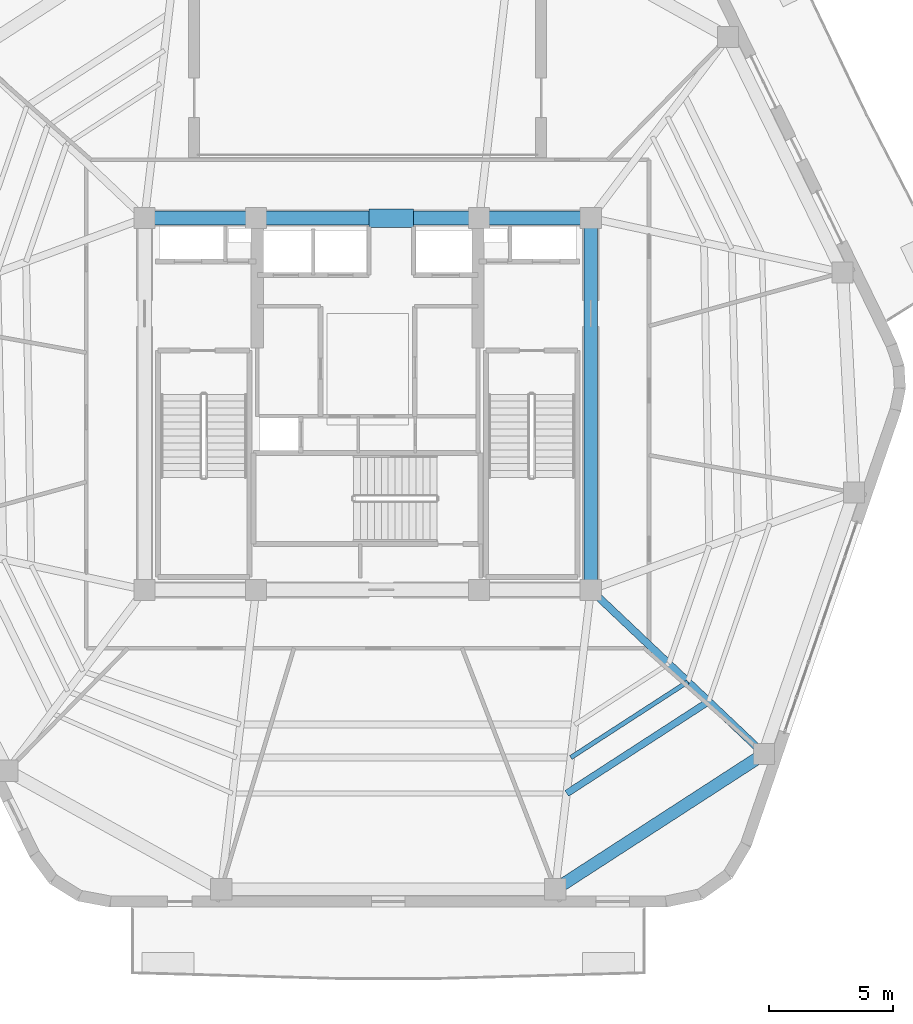
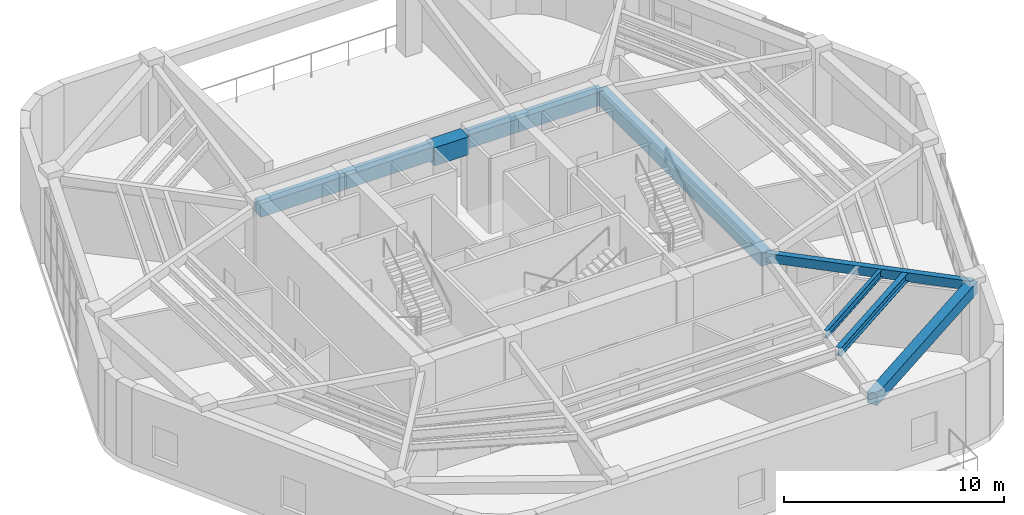
# One storey, part 3 of 15: 9 beams.
"""IFC4 building model written with IfcOpenShell, lengths in metres."""

import ifcopenshell
import ifcopenshell.guid

model = None  # the IFC model being written
_history = None  # IfcOwnerHistory: only IFC2X3 demands one
_inside = {}  # id of a spatial element -> (the spatial element, [elements in it])
_under = {}  # id of a project, library or spatial element -> (it, [spatial elements below it])
_declared = {}  # id of a project -> (the project, [libraries it declares])
_typed = {}  # id of a type object -> (the type object, [elements of that type])
_made_of = {}  # id of a material, layer set ... -> (it, [elements and type objects made of it])


def new_model(schema):
    """Start an empty IFC model of exactly this schema.

    Asked for "IFC4X3", IfcOpenShell would pick the latest addendum, in which some entities
    have other attributes; the version numbers below select the first issue.
    IFC2X3 requires an IfcOwnerHistory on every rooted entity: one is made here for all.
    """
    global model, _history
    if schema == "IFC4X3":
        model = ifcopenshell.file(schema_version=(4, 3, 0, 0))
    else:
        model = ifcopenshell.file(schema=schema)
    _inside.clear()
    _under.clear()
    _declared.clear()
    _typed.clear()
    _made_of.clear()
    _history = None
    if model.schema == "IFC2X3":
        org = make("IfcOrganization", Name="unknown")
        user = make(
            "IfcPersonAndOrganization",
            ThePerson=make("IfcPerson", FamilyName="unknown"),
            TheOrganization=org,
        )
        app = make(
            "IfcApplication",
            ApplicationDeveloper=org,
            Version="unknown",
            ApplicationFullName="unknown",
            ApplicationIdentifier="unknown",
        )
        _history = make(
            "IfcOwnerHistory",
            OwningUser=user,
            OwningApplication=app,
            ChangeAction="ADDED",
            CreationDate=0,
        )
    return model


def make(cls, **values):
    """One entity of the class cls with the attributes given. An attribute that is None is left unset."""
    return model.create_entity(
        cls, **{name: value for name, value in values.items() if value is not None}
    )


def rooted(cls, **values):
    """An entity with a GlobalId (a new one), such as an element, a storey or a relation."""
    return make(cls, GlobalId=ifcopenshell.guid.new(), OwnerHistory=_history, **values)


def si_unit(unit_type, name, prefix=None):
    """IfcSIUnit, for example si_unit("LENGTHUNIT", "METRE", prefix="MILLI")."""
    return make("IfcSIUnit", UnitType=unit_type, Prefix=prefix, Name=name)


def assignment(units):
    """IfcUnitAssignment: the units of a project."""
    return None if units is None else make("IfcUnitAssignment", Units=units)


def point(xyz):
    """IfcCartesianPoint."""
    return None if xyz is None else make("IfcCartesianPoint", Coordinates=xyz)


def direction(xyz):
    """IfcDirection."""
    return None if xyz is None else make("IfcDirection", DirectionRatios=xyz)


def frame(location, z_axis=None, x_axis=None):
    """IfcAxis2Placement3D, a coordinate frame: its origin and axes. An axis left out is left unset."""
    return make(
        "IfcAxis2Placement3D",
        Location=point(location),
        Axis=direction(z_axis),
        RefDirection=direction(x_axis),
    )


def frame_2d(location, x_axis=None):
    """IfcAxis2Placement2D, a coordinate frame in the plane: its origin and x axis."""
    return make(
        "IfcAxis2Placement2D", Location=point(location), RefDirection=direction(x_axis)
    )


def origin():
    """The frame at (0, 0, 0) with its axes left unset."""
    return frame((0.0, 0.0, 0.0))


def origin_2d():
    """The frame at (0, 0) in the plane with its x axis left unset."""
    return frame_2d((0.0, 0.0))


def place(relative_to, where):
    """IfcLocalPlacement: puts the frame where relative to a parent placement (None: the world)."""
    return make(
        "IfcLocalPlacement", PlacementRelTo=relative_to, RelativePlacement=where
    )


def context(
    kind, dimensions, precision=None, world=None, true_north=None, identifier=None
):
    """IfcGeometricRepresentationContext, for example the 3D "Model" context."""
    return make(
        "IfcGeometricRepresentationContext",
        ContextIdentifier=identifier,
        ContextType=kind,
        CoordinateSpaceDimension=dimensions,
        Precision=precision,
        WorldCoordinateSystem=world,
        TrueNorth=true_north,
    )


def subcontext(parent, identifier, kind, view, scale=None):
    """IfcGeometricRepresentationSubContext, for example "Body" below "Model"."""
    return make(
        "IfcGeometricRepresentationSubContext",
        ContextIdentifier=identifier,
        ContextType=kind,
        ParentContext=parent,
        TargetScale=scale,
        TargetView=view,
    )


def project(units=None, contexts=None):
    """IfcProject with its units and contexts."""
    return rooted(
        "IfcProject",
        Name="project",
        RepresentationContexts=contexts,
        UnitsInContext=assignment(units),
    )


def spatial(cls, under=None, at=None, **own):
    """A site, building, storey or space (cls), placed at a placement, below another one or the project."""
    s = rooted(cls, ObjectPlacement=at, **own)
    if under is not None:
        _under.setdefault(under.id(), (under, []))[1].append(s)
    return s


def profile(cls, at=None, kind="AREA", **sizes):
    """A parametric profile (cls). Its sizes go by their IFC names, for example OverallWidth=200.0."""
    return make(cls, ProfileType=kind, Position=at, **sizes)


def rectangle(**sizes):
    """IfcRectangleProfileDef."""
    return profile("IfcRectangleProfileDef", **sizes)


def i_section(**sizes):
    """IfcIShapeProfileDef."""
    return profile("IfcIShapeProfileDef", **sizes)


def extrude(swept, where, along, depth):
    """IfcExtrudedAreaSolid: the profile swept, set in the frame where, extruded along a direction by depth."""
    return make(
        "IfcExtrudedAreaSolid",
        SweptArea=swept,
        Position=where,
        ExtrudedDirection=direction(along),
        Depth=depth,
    )


def shape(context_of_items, identifier, shape_type, items):
    """IfcShapeRepresentation: the items that make up one representation, for example the "Body"."""
    return make(
        "IfcShapeRepresentation",
        ContextOfItems=context_of_items,
        RepresentationIdentifier=identifier,
        RepresentationType=shape_type,
        Items=items,
    )


def material(Name=None, Category=None):
    """IfcMaterial."""
    return make("IfcMaterial", Name=Name, Category=Category)


def material_profile(
    of_material, cross_section, Name=None, Category=None, Priority=None
):
    """IfcMaterialProfile: a cross section and its material."""
    return make(
        "IfcMaterialProfile",
        Name=Name,
        Material=of_material,
        Profile=cross_section,
        Priority=Priority,
        Category=Category,
    )


def profile_set(profiles, Name=None, composite=None):
    """IfcMaterialProfileSet."""
    return make(
        "IfcMaterialProfileSet",
        Name=Name,
        MaterialProfiles=profiles,
        CompositeProfile=composite,
    )


def made_of(thing, what):
    """Note that an element or type object is made of a material, layer set ...; save() writes the relation."""
    if what is not None:
        _made_of.setdefault(what.id(), (what, []))[1].append(thing)
    return thing


def type_object(cls, material=None, **own):
    """A type object (cls), such as IfcWallType, which elements share."""
    return made_of(rooted(cls, **own), material)


def element(
    cls,
    number,
    at=None,
    inside=None,
    cuts=None,
    type_object=None,
    material=None,
    context=None,
    identifier="Body",
    shape_type=None,
    held_by="IfcProductDefinitionShape",
    body=None,
    shapes=None,
    **own,
):
    """One element of the class cls, such as IfcWall. Its Tag is "e" and its number.

    at: its placement. inside: the storey or other place that contains it. cuts: it is an
    opening in that element (IfcRelVoidsElement). A single representation is given by context,
    identifier, shape_type and body (its items); several are given by shapes. held_by: the class
    of the entity that holds the representations. save() writes the other relations.
    """
    e = rooted(cls, Tag="e%d" % number, ObjectPlacement=at, **own)
    if body is not None:
        shapes = [shape(context, identifier, shape_type, body)]
    if shapes is not None:
        e.Representation = make(held_by, Representations=shapes)
    if inside is not None:
        _inside.setdefault(inside.id(), (inside, []))[1].append(e)
    if cuts is not None:
        rooted(
            "IfcRelVoidsElement", RelatingBuildingElement=cuts, RelatedOpeningElement=e
        )
    if type_object is not None:
        _typed.setdefault(type_object.id(), (type_object, []))[1].append(e)
    return made_of(e, material)


def aggregate(whole, parts):
    """IfcRelAggregates: a whole, such as a stair, and the parts it consists of."""
    return rooted("IfcRelAggregates", RelatingObject=whole, RelatedObjects=parts)


def save(model, path):
    """Write the relations noted so far, then the file.

    IfcRelAggregates (storeys below a building ...), IfcRelContainedInSpatialStructure (elements
    in a storey), IfcRelDefinesByType, IfcRelAssociatesMaterial and IfcRelDeclares: one each for
    every whole, place, type object, material and project.
    """
    for whole, parts in _under.values():
        aggregate(whole, parts)
    for where, things in _inside.values():
        rooted(
            "IfcRelContainedInSpatialStructure",
            RelatedElements=things,
            RelatingStructure=where,
        )
    for kind, things in _typed.values():
        rooted("IfcRelDefinesByType", RelatedObjects=things, RelatingType=kind)
    for what, things in _made_of.values():
        rooted("IfcRelAssociatesMaterial", RelatedObjects=things, RelatingMaterial=what)
    for by, libraries in _declared.values():
        rooted("IfcRelDeclares", RelatingContext=by, RelatedDefinitions=libraries)
    model.write(path)


model = new_model("IFC4")

# Units and contexts
model_context = context("Model", 3, precision=1e-05, world=origin(), true_north=direction((0.0, 1.0)))
body_context = subcontext(model_context, "Body", "Model", "MODEL_VIEW")
ifc_project = project(units=[si_unit("LENGTHUNIT", "METRE"), si_unit("AREAUNIT", "SQUARE_METRE"), si_unit("VOLUMEUNIT", "CUBIC_METRE"), si_unit("PLANEANGLEUNIT", "RADIAN"), si_unit("MASSUNIT", "GRAM", prefix="KILO")], contexts=[model_context])

# Site, building, storey
site_placement = place(None, origin())
site = spatial("IfcSite", under=ifc_project, at=site_placement, CompositionType="ELEMENT")
building_placement = place(site_placement, origin())
building = spatial("IfcBuilding", under=site, at=building_placement, Name="Kilnhurst Terrace Hotel", CompositionType="ELEMENT")
storey_placement = place(building_placement, frame((0.0, 0.0, 288.60009765625)))
storey = spatial("IfcBuildingStorey", under=building, at=storey_placement, Name="L72", CompositionType="ELEMENT", Elevation=288.60009765625)

# Beams
ifc_material_1 = material(Name="Concrete C50/60", Category="concrete")
ifc_material_profile_1 = material_profile(ifc_material_1, rectangle(XDim=0.300048828125, YDim=0.5, at=origin_2d()), Name="RC300X500")
ifc_profile_set_1 = profile_set([ifc_material_profile_1], Name="Concrete C50/60")
beam_type_1 = type_object("IfcBeamType", Name="BM-RAD-300X500", PredefinedType="BEAM", material=ifc_profile_set_1)
beam_1_placement = place(storey_placement, frame((9.0, -7.5, 3.929931640625), z_axis=(0.726256338973, -0.687423981326, 0.0), x_axis=(0.687423981326, 0.726256338973, 0.0)))
element("IfcBeam", 1, at=beam_1_placement, inside=storey, type_object=beam_type_1, Name="L72 Radial Floor Beam 3", PredefinedType="BEAM", context=body_context, shape_type="SweptSolid", body=[
    extrude(rectangle(XDim=0.300048828125, YDim=0.5, at=origin_2d()), origin(), (0.0, 0.0, 1.0), 9.6318359375),
])
ifc_material_profile_2 = material_profile(ifc_material_1, rectangle(XDim=0.5, YDim=0.64990234375, at=origin_2d()), Name="RC500X650")
ifc_profile_set_2 = profile_set([ifc_material_profile_2], Name="Concrete C50/60")
beam_type_2 = type_object("IfcBeamType", Name="BM-SPN-500X650", PredefinedType="SPANDREL", material=ifc_profile_set_2)
beam_2_placement = place(storey_placement, frame((7.569091796875, -19.580078125, 3.85498046875), z_axis=(0.839258818809, 0.543732135386, 0.0), x_axis=(-0.543732135386, 0.839258818809, 0.0)))
element("IfcBeam", 2, at=beam_2_placement, inside=storey, type_object=beam_type_2, Name="L72 Perimeter Spandrel Beam 2", PredefinedType="SPANDREL", context=body_context, shape_type="SweptSolid", body=[
    extrude(rectangle(XDim=0.5, YDim=0.64990234375, at=origin_2d()), origin(), (0.0, 0.0, 1.0), 10.039794921875),
])
ifc_material_profile_3 = material_profile(ifc_material_1, rectangle(XDim=0.550048828125, YDim=0.75, at=origin_2d()), Name="RC550X750")
ifc_profile_set_3 = profile_set([ifc_material_profile_3], Name="Concrete C50/60")
beam_type_3 = type_object("IfcBeamType", Name="BM-SPN-550X750", PredefinedType="SPANDREL", material=ifc_profile_set_3)
beam_3_placement = place(storey_placement, frame((-9.0, 7.5, 3.804931640625), z_axis=(1.0, 0.0, 0.0), x_axis=(0.0, 1.0, 0.0)))
element("IfcBeam", 3, at=beam_3_placement, inside=storey, type_object=beam_type_3, Name="L72 Core Tie Beam CC-NW to CC-NC1", PredefinedType="SPANDREL", context=body_context, shape_type="SweptSolid", body=[
    extrude(rectangle(XDim=0.550048828125, YDim=0.75, at=origin_2d()), origin(), (0.0, 0.0, 1.0), 4.5),
])
beam_4_placement = place(storey_placement, frame((-4.5, 7.5, 3.804931640625), z_axis=(1.0, 0.0, 0.0), x_axis=(0.0, 1.0, 0.0)))
element("IfcBeam", 4, at=beam_4_placement, inside=storey, type_object=beam_type_3, Name="L72 Core Tie Beam CC-NC1 to CC-NC2", PredefinedType="SPANDREL", context=body_context, shape_type="SweptSolid", body=[
    extrude(rectangle(XDim=0.550048828125, YDim=0.75, at=origin_2d()), origin(), (0.0, 0.0, 1.0), 9.0),
])
beam_5_placement = place(storey_placement, frame((4.5, 7.5, 3.804931640625), z_axis=(1.0, 0.0, 0.0), x_axis=(0.0, 1.0, 0.0)))
element("IfcBeam", 5, at=beam_5_placement, inside=storey, type_object=beam_type_3, Name="L72 Core Tie Beam CC-NC2 to CC-NE", PredefinedType="SPANDREL", context=body_context, shape_type="SweptSolid", body=[
    extrude(rectangle(XDim=0.550048828125, YDim=0.75, at=origin_2d()), origin(), (0.0, 0.0, 1.0), 4.5),
])
beam_6_placement = place(storey_placement, frame((9.0, -7.5, 3.804931640625), z_axis=(0.0, 1.0, 0.0), x_axis=(-1.0, 0.0, 0.0)))
element("IfcBeam", 6, at=beam_6_placement, inside=storey, type_object=beam_type_3, Name="L72 Core Tie Beam CC-SE to CC-NE", PredefinedType="SPANDREL", context=body_context, shape_type="SweptSolid", body=[
    extrude(rectangle(XDim=0.550048828125, YDim=0.75, at=origin_2d()), origin(), (0.0, 0.0, 1.0), 15.0),
])
ifc_material_2 = material(Name="Steel ASTM A992 Grade 50", Category="steel")
ifc_material_profile_4 = material_profile(ifc_material_2, i_section(OverallWidth=0.180908203125, OverallDepth=0.417236328125, WebThickness=0.010986328125, FlangeThickness=0.018310546875, at=origin_2d()), Name="W16X57")
ifc_profile_set_4 = profile_set([ifc_material_profile_4], Name="Steel ASTM A992 Grade 50")
beam_type_4 = type_object("IfcBeamType", Name="JST-STL-W16X57", PredefinedType="JOIST", material=ifc_profile_set_4)
beam_7_placement = place(storey_placement, frame((8.198486328125, -14.264892578125, 3.970947265625), z_axis=(0.839260135854, 0.543730102502, 0.0), x_axis=(-0.543730102502, 0.839260135854, 0.0)))
element("IfcBeam", 7, at=beam_7_placement, inside=storey, type_object=beam_type_4, Name="L72 Secondary Floor Steel Joist MID.2", PredefinedType="JOIST", context=body_context, shape_type="SweptSolid", body=[
    extrude(i_section(OverallWidth=0.180908203125, OverallDepth=0.417236328125, WebThickness=0.010986328125, FlangeThickness=0.018310546875, at=origin_2d()), origin(), (0.0, 0.0, 1.0), 5.62255859375),
])
ifc_material_profile_5 = material_profile(ifc_material_2, i_section(OverallWidth=0.279296875, OverallDepth=0.462890625, WebThickness=0.0107421875, FlangeThickness=0.017333984375, at=origin_2d()), Name="W18X76")
ifc_profile_set_5 = profile_set([ifc_material_profile_5], Name="Steel ASTM A992 Grade 50")
beam_type_5 = type_object("IfcBeamType", Name="JST-STL-W18X76", PredefinedType="JOIST", material=ifc_profile_set_5)
beam_8_placement = place(storey_placement, frame((8.02685546875, -15.71435546875, 3.947998046875), z_axis=(0.839257246669, 0.543734562001, 0.0), x_axis=(-0.543734562001, 0.839257246669, 0.0)))
element("IfcBeam", 8, at=beam_8_placement, inside=storey, type_object=beam_type_5, Name="L72 Secondary Floor Steel Joist OUT.2", PredefinedType="JOIST", context=body_context, shape_type="SweptSolid", body=[
    extrude(i_section(OverallWidth=0.279296875, OverallDepth=0.462890625, WebThickness=0.0107421875, FlangeThickness=0.017333984375, at=origin_2d()), origin(), (0.0, 0.0, 1.0), 6.8271484375),
])
ifc_material_3 = material(Name="Concrete C60/75", Category="concrete")
ifc_material_profile_6 = material_profile(ifc_material_3, rectangle(XDim=0.75, YDim=1.0, at=origin_2d()), Name="RC750X1000")
ifc_profile_set_6 = profile_set([ifc_material_profile_6], Name="Concrete C60/75")
beam_type_6 = type_object("IfcBeamType", Name="LNT-CB-750X1000", PredefinedType="LINTEL", material=ifc_profile_set_6)
beam_9_placement = place(storey_placement, frame((0.050048828125, 7.5, 3.679931640625), z_axis=(1.0, 0.0, 0.0), x_axis=(0.0, 1.0, 0.0)))
element("IfcBeam", 9, at=beam_9_placement, inside=storey, type_object=beam_type_6, Name="L72 North Core Coupling Link Beam", PredefinedType="LINTEL", context=body_context, shape_type="SweptSolid", body=[
    extrude(rectangle(XDim=0.75, YDim=1.0, at=origin_2d()), origin(), (0.0, 0.0, 1.0), 1.800048828125),
])

save(model, "model.ifc")
